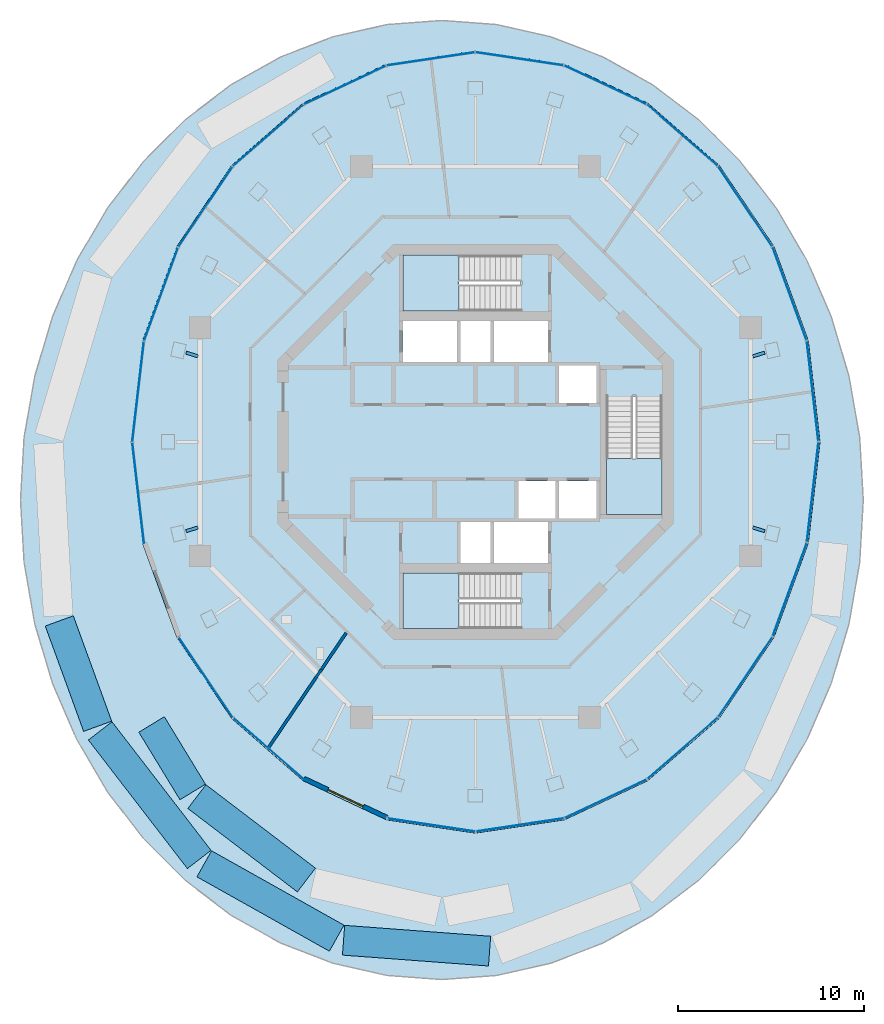
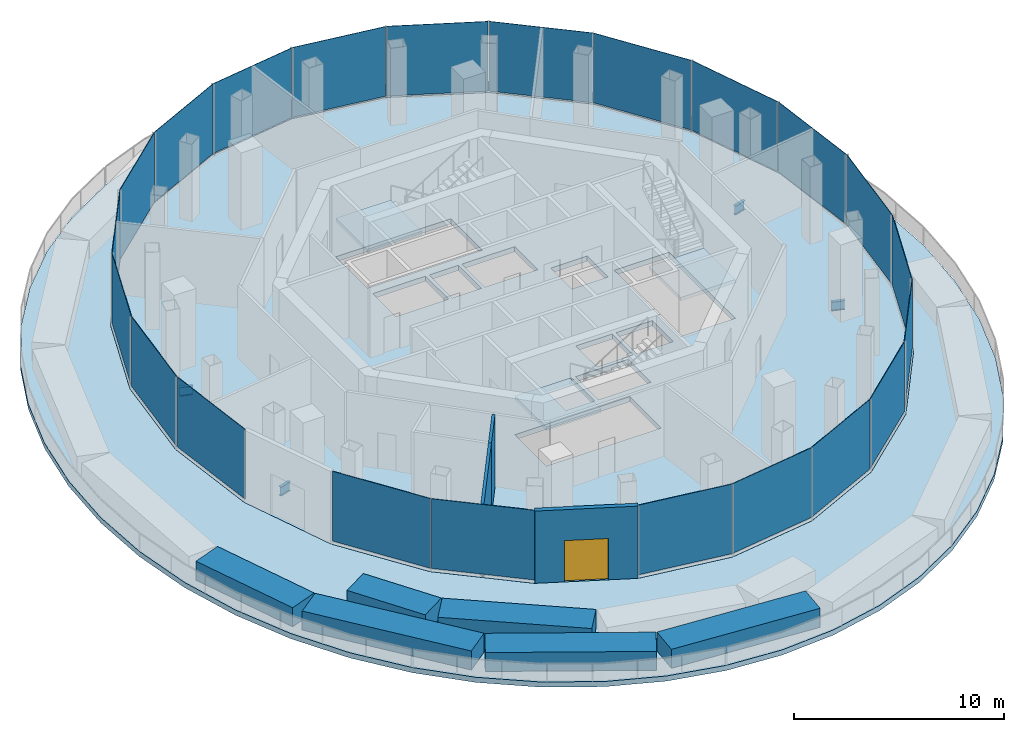
# One storey, part 6 of 12: 22 plates, 9 walls, 5 slabs, 4 beams, 1 door, 1 opening, 25 elements without a shape of their own.
"""IFC4 building model written with IfcOpenShell, lengths in metres."""

from ifc_helpers import new_model, si_unit, direction, frame, frame_2d, origin, origin_2d, place, context, subcontext, project, spatial, polyline, rectangle, i_section, outline, extrude, material, layer, layer_set, material_profile, profile_set, type_object, element, fill, aggregate, save


model = new_model("IFC4")

# Units and contexts
model_context = context("Model", 3, precision=1e-05, world=origin(), true_north=direction((0.0, 1.0)))
body_context = subcontext(model_context, "Body", "Model", "MODEL_VIEW")
ifc_project = project(units=[si_unit("LENGTHUNIT", "METRE"), si_unit("AREAUNIT", "SQUARE_METRE"), si_unit("VOLUMEUNIT", "CUBIC_METRE"), si_unit("PLANEANGLEUNIT", "RADIAN"), si_unit("MASSUNIT", "GRAM", prefix="KILO")], contexts=[model_context])

# Site, building, storey
site_placement = place(None, origin())
site = spatial("IfcSite", under=ifc_project, at=site_placement, CompositionType="ELEMENT")
building_placement = place(site_placement, origin())
building = spatial("IfcBuilding", under=site, at=building_placement, Name="Nagisa Residences", CompositionType="ELEMENT")
storey_placement = place(building_placement, frame((0.0, 0.0, 315.89990234375)))
storey = spatial("IfcBuildingStorey", under=building, at=storey_placement, Name="L78", CompositionType="ELEMENT", Elevation=315.89990234375)

# Beams
ifc_material_1 = material(Name="Steel ASTM A572 Gr 50", Category="steel")
ifc_material_profile = material_profile(ifc_material_1, i_section(OverallWidth=0.166015625, OverallDepth=0.534912109375, WebThickness=0.01025390625, FlangeThickness=0.0166015625, at=origin_2d()), Name="W530x85")
ifc_profile_set = profile_set([ifc_material_profile], Name="Steel ASTM A572 Gr 50")
beam_type = type_object("IfcBeamType", Name="Radial beam W530x85", PredefinedType="BEAM", material=ifc_profile_set)
for number, where, z_axis, x_axis, name in (
    (1, (15.52587890625, 4.79052734375, -0.5673828125), (-0.955485327603, -0.295038622447, 0.0), (0.295038622447, -0.955485327603, 0.0), "beam:L78:rb02"),
    (2, (-15.52587890625, 4.79052734375, -0.5673828125), (0.955485327603, -0.295038622447, 0.0), (0.295038622447, 0.955485327603, 0.0), "beam:L78:rb12"),
    (3, (-15.52587890625, -4.79052734375, -0.5673828125), (0.955485327603, 0.295038622447, 0.0), (-0.295038622447, 0.955485327603, 0.0), "beam:L78:rb14"),
    (4, (15.52587890625, -4.79052734375, -0.5673828125), (-0.955485327603, 0.295038622447, 0.0), (-0.295038622447, -0.955485327603, 0.0), "beam:L78:rb24"),
):
    element("IfcBeam", number, at=place(storey_placement, frame(where, z_axis=z_axis, x_axis=x_axis)), inside=storey, type_object=beam_type, Name=name, PredefinedType="BEAM", context=body_context, shape_type="SweptSolid", body=[
        extrude(i_section(OverallWidth=0.166015625, OverallDepth=0.534912109375, WebThickness=0.01025390625, FlangeThickness=0.0166015625, at=origin_2d()), origin(), (0.0, 0.0, 1.0), 0.666015625),
    ])

# Curtain wall, plate
ifc_material_2 = material(Name="Aluminium curtain wall system", Category="aluminium")
ifc_layer_1 = layer(ifc_material_2, 0.159912109375)
ifc_layer_set_1 = layer_set([ifc_layer_1], Name="CW4 CURTAIN WALL")
curtain_wall_type = type_object("IfcCurtainWallType", Name="CW4 CURTAIN WALL", PredefinedType="NOTDEFINED", material=ifc_layer_set_1)
curtain_wall_1_placement = place(storey_placement, origin())
curtain_wall_1 = element("IfcCurtainWall", 5, at=curtain_wall_1_placement, inside=storey, type_object=curtain_wall_type, Name="cw:CW4:L78:00", PredefinedType="NOTDEFINED")
ifc_material_3 = material(Name="Clear laminated glass", Category="glass")
ifc_layer_2 = layer(ifc_material_3, 0.028076171875)
ifc_layer_set_2 = layer_set([ifc_layer_2], Name="CW4 GLASS PANEL")
plate_type = type_object("IfcPlateType", Name="CW4 GLASS PANEL", PredefinedType="CURTAIN_PANEL", material=ifc_layer_set_2)
plate_1_placement = place(storey_placement, frame((18.101806640625, 2.73828125, 0.14990234375), z_axis=(0.0, 0.0, 1.0), x_axis=(-0.115207327437, 0.993341467827, 0.0)))
plate_1 = element("IfcPlate", 6, at=plate_1_placement, type_object=plate_type, Name="CW4 panel", PredefinedType="CURTAIN_PANEL", context=body_context, shape_type="SweptSolid", body=[
    extrude(rectangle(XDim=5.41162109375, YDim=0.028076171875, at=origin_2d()), origin(), (0.0, 0.0, 1.0), 4.050048828125),
])
aggregate(curtain_wall_1, [plate_1])

curtain_wall_2_placement = place(storey_placement, origin())
curtain_wall_2 = element("IfcCurtainWall", 7, at=curtain_wall_2_placement, inside=storey, type_object=curtain_wall_type, Name="cw:CW4:L78:01", PredefinedType="NOTDEFINED")
plate_2_placement = place(storey_placement, frame((16.860107421875, 7.96826171875, 0.14990234375), z_axis=(0.0, 0.0, 1.0), x_axis=(-0.342793298167, 0.939410855128, 0.0)))
plate_2 = element("IfcPlate", 8, at=plate_2_placement, type_object=plate_type, Name="CW4 panel", PredefinedType="CURTAIN_PANEL", context=body_context, shape_type="SweptSolid", body=[
    extrude(rectangle(XDim=5.33154296875, YDim=0.028076171875, at=origin_2d()), origin(), (0.0, 0.0, 1.0), 4.050048828125),
])
aggregate(curtain_wall_2, [plate_2])

curtain_wall_3_placement = place(storey_placement, origin())
curtain_wall_3 = element("IfcCurtainWall", 9, at=curtain_wall_3_placement, inside=storey, type_object=curtain_wall_type, Name="cw:CW4:L78:02", PredefinedType="NOTDEFINED")
plate_3_placement = place(storey_placement, frame((14.468505859375, 12.65478515625, 0.14990234375), z_axis=(0.0, 0.0, 1.0), x_axis=(-0.560029665453, 0.828472554652, 0.0)))
plate_3 = element("IfcPlate", 10, at=plate_3_placement, type_object=plate_type, Name="CW4 panel", PredefinedType="CURTAIN_PANEL", context=body_context, shape_type="SweptSolid", body=[
    extrude(rectangle(XDim=5.189697265625, YDim=0.028076171875, at=origin_2d()), origin(), (0.0, 0.0, 1.0), 4.050048828125),
])
aggregate(curtain_wall_3, [plate_3])

curtain_wall_4_placement = place(storey_placement, origin())
curtain_wall_4 = element("IfcCurtainWall", 11, at=curtain_wall_4_placement, inside=storey, type_object=curtain_wall_type, Name="cw:CW4:L78:03", PredefinedType="NOTDEFINED")
plate_4_placement = place(storey_placement, frame((11.090576171875, 16.477294921875, 0.14990234375), z_axis=(0.0, 0.0, 1.0), x_axis=(-0.754062144839, 0.656803076821, 0.0)))
plate_4 = element("IfcPlate", 12, at=plate_4_placement, type_object=plate_type, Name="CW4 panel", PredefinedType="CURTAIN_PANEL", context=body_context, shape_type="SweptSolid", body=[
    extrude(rectangle(XDim=5.02099609375, YDim=0.028076171875, at=origin_2d()), origin(), (0.0, 0.0, 1.0), 4.050048828125),
])
aggregate(curtain_wall_4, [plate_4])

curtain_wall_5_placement = place(storey_placement, origin())
curtain_wall_5 = element("IfcCurtainWall", 13, at=curtain_wall_5_placement, inside=storey, type_object=curtain_wall_type, Name="cw:CW4:L78:04", PredefinedType="NOTDEFINED")
plate_5_placement = place(storey_placement, frame((6.9580078125, 19.17578125, 0.14990234375), z_axis=(0.0, 0.0, 1.0), x_axis=(-0.90495806836, 0.425500757356, 0.0)))
plate_5 = element("IfcPlate", 14, at=plate_5_placement, type_object=plate_type, Name="CW4 panel", PredefinedType="CURTAIN_PANEL", context=body_context, shape_type="SweptSolid", body=[
    extrude(rectangle(XDim=4.870361328125, YDim=0.028076171875, at=origin_2d()), origin(), (0.0, 0.0, 1.0), 4.050048828125),
])
aggregate(curtain_wall_5, [plate_5])

curtain_wall_6_placement = place(storey_placement, origin())
curtain_wall_6 = element("IfcCurtainWall", 15, at=curtain_wall_6_placement, inside=storey, type_object=curtain_wall_type, Name="cw:CW4:L78:05", PredefinedType="NOTDEFINED")
plate_6_placement = place(storey_placement, frame((2.3525390625, 20.567626953125, 0.14990234375), z_axis=(0.0, 0.0, 1.0), x_axis=(-0.989016965862, 0.147802033939, 0.0)))
plate_6 = element("IfcPlate", 16, at=plate_6_placement, type_object=plate_type, Name="CW4 panel", PredefinedType="CURTAIN_PANEL", context=body_context, shape_type="SweptSolid", body=[
    extrude(rectangle(XDim=4.78125, YDim=0.028076171875, at=origin_2d()), origin(), (0.0, 0.0, 1.0), 4.050048828125),
])
aggregate(curtain_wall_6, [plate_6])

curtain_wall_7_placement = place(storey_placement, origin())
curtain_wall_7 = element("IfcCurtainWall", 17, at=curtain_wall_7_placement, inside=storey, type_object=curtain_wall_type, Name="cw:CW4:L78:06", PredefinedType="NOTDEFINED")
plate_7_placement = place(storey_placement, frame((-2.411865234375, 20.55859375, 0.14990234375), z_axis=(0.0, 0.0, 1.0), x_axis=(-0.989016965862, -0.147802033939, 0.0)))
plate_7 = element("IfcPlate", 18, at=plate_7_placement, type_object=plate_type, Name="CW4 panel", PredefinedType="CURTAIN_PANEL", context=body_context, shape_type="SweptSolid", body=[
    extrude(rectangle(XDim=4.78125, YDim=0.028076171875, at=origin_2d()), origin(), (0.0, 0.0, 1.0), 4.050048828125),
])
aggregate(curtain_wall_7, [plate_7])

curtain_wall_8_placement = place(storey_placement, origin())
curtain_wall_8 = element("IfcCurtainWall", 19, at=curtain_wall_8_placement, inside=storey, type_object=curtain_wall_type, Name="cw:CW4:L78:07", PredefinedType="NOTDEFINED")
plate_8_placement = place(storey_placement, frame((-7.01220703125, 19.150390625, 0.14990234375), z_axis=(0.0, 0.0, 1.0), x_axis=(-0.90495806836, -0.425500757356, 0.0)))
plate_8 = element("IfcPlate", 20, at=plate_8_placement, type_object=plate_type, Name="CW4 panel", PredefinedType="CURTAIN_PANEL", context=body_context, shape_type="SweptSolid", body=[
    extrude(rectangle(XDim=4.870361328125, YDim=0.028076171875, at=origin_2d()), origin(), (0.0, 0.0, 1.0), 4.050048828125),
])
aggregate(curtain_wall_8, [plate_8])

curtain_wall_9_placement = place(storey_placement, origin())
curtain_wall_9 = element("IfcCurtainWall", 21, at=curtain_wall_9_placement, inside=storey, type_object=curtain_wall_type, Name="cw:CW4:L78:08", PredefinedType="NOTDEFINED")
plate_9_placement = place(storey_placement, frame((-11.1357421875, 16.437744140625, 0.14990234375), z_axis=(0.0, 0.0, 1.0), x_axis=(-0.754062144839, -0.656803076821, 0.0)))
plate_9 = element("IfcPlate", 22, at=plate_9_placement, type_object=plate_type, Name="CW4 panel", PredefinedType="CURTAIN_PANEL", context=body_context, shape_type="SweptSolid", body=[
    extrude(rectangle(XDim=5.02099609375, YDim=0.028076171875, at=origin_2d()), origin(), (0.0, 0.0, 1.0), 4.050048828125),
])
aggregate(curtain_wall_9, [plate_9])

curtain_wall_10_placement = place(storey_placement, origin())
curtain_wall_10 = element("IfcCurtainWall", 23, at=curtain_wall_10_placement, inside=storey, type_object=curtain_wall_type, Name="cw:CW4:L78:09", PredefinedType="NOTDEFINED")
plate_10_placement = place(storey_placement, frame((-14.501953125, 12.60498046875, 0.14990234375), z_axis=(0.0, 0.0, 1.0), x_axis=(-0.560029665453, -0.828472554652, 0.0)))
plate_10 = element("IfcPlate", 24, at=plate_10_placement, type_object=plate_type, Name="CW4 panel", PredefinedType="CURTAIN_PANEL", context=body_context, shape_type="SweptSolid", body=[
    extrude(rectangle(XDim=5.189697265625, YDim=0.028076171875, at=origin_2d()), origin(), (0.0, 0.0, 1.0), 4.050048828125),
])
aggregate(curtain_wall_10, [plate_10])

curtain_wall_11_placement = place(storey_placement, origin())
curtain_wall_11 = element("IfcCurtainWall", 25, at=curtain_wall_11_placement, inside=storey, type_object=curtain_wall_type, Name="cw:CW4:L78:10", PredefinedType="NOTDEFINED")
plate_11_placement = place(storey_placement, frame((-16.880615234375, 7.912109375, 0.14990234375), z_axis=(0.0, 0.0, 1.0), x_axis=(-0.342793298167, -0.939410855128, 0.0)))
plate_11 = element("IfcPlate", 26, at=plate_11_placement, type_object=plate_type, Name="CW4 panel", PredefinedType="CURTAIN_PANEL", context=body_context, shape_type="SweptSolid", body=[
    extrude(rectangle(XDim=5.33154296875, YDim=0.028076171875, at=origin_2d()), origin(), (0.0, 0.0, 1.0), 4.050048828125),
])
aggregate(curtain_wall_11, [plate_11])

curtain_wall_12_placement = place(storey_placement, origin())
curtain_wall_12 = element("IfcCurtainWall", 27, at=curtain_wall_12_placement, inside=storey, type_object=curtain_wall_type, Name="cw:CW4:L78:11", PredefinedType="NOTDEFINED")
plate_12_placement = place(storey_placement, frame((-18.10888671875, 2.678466796875, 0.14990234375), z_axis=(0.0, 0.0, 1.0), x_axis=(-0.115207327437, -0.993341467827, 0.0)))
plate_12 = element("IfcPlate", 28, at=plate_12_placement, type_object=plate_type, Name="CW4 panel", PredefinedType="CURTAIN_PANEL", context=body_context, shape_type="SweptSolid", body=[
    extrude(rectangle(XDim=5.41162109375, YDim=0.028076171875, at=origin_2d()), origin(), (0.0, 0.0, 1.0), 4.050048828125),
])
aggregate(curtain_wall_12, [plate_12])

curtain_wall_13_placement = place(storey_placement, origin())
curtain_wall_13 = element("IfcCurtainWall", 29, at=curtain_wall_13_placement, inside=storey, type_object=curtain_wall_type, Name="cw:CW4:L78:12", PredefinedType="NOTDEFINED")
plate_13_placement = place(storey_placement, frame((-18.101806640625, -2.73828125, 0.14990234375), z_axis=(0.0, 0.0, 1.0), x_axis=(0.115207327437, -0.993341467827, 0.0)))
plate_13 = element("IfcPlate", 30, at=plate_13_placement, type_object=plate_type, Name="CW4 panel", PredefinedType="CURTAIN_PANEL", context=body_context, shape_type="SweptSolid", body=[
    extrude(rectangle(XDim=5.41162109375, YDim=0.028076171875, at=origin_2d()), origin(), (0.0, 0.0, 1.0), 4.050048828125),
])
aggregate(curtain_wall_13, [plate_13])

curtain_wall_14_placement = place(storey_placement, origin())
curtain_wall_14 = element("IfcCurtainWall", 31, at=curtain_wall_14_placement, inside=storey, type_object=curtain_wall_type, Name="cw:CW4:L78:14", PredefinedType="NOTDEFINED")
plate_14_placement = place(storey_placement, frame((-14.468505859375, -12.65478515625, 0.14990234375), z_axis=(0.0, 0.0, 1.0), x_axis=(0.560029665453, -0.828472554652, 0.0)))
plate_14 = element("IfcPlate", 32, at=plate_14_placement, type_object=plate_type, Name="CW4 panel", PredefinedType="CURTAIN_PANEL", context=body_context, shape_type="SweptSolid", body=[
    extrude(rectangle(XDim=5.189697265625, YDim=0.028076171875, at=origin_2d()), origin(), (0.0, 0.0, 1.0), 4.050048828125),
])
aggregate(curtain_wall_14, [plate_14])

curtain_wall_15_placement = place(storey_placement, origin())
curtain_wall_15 = element("IfcCurtainWall", 33, at=curtain_wall_15_placement, inside=storey, type_object=curtain_wall_type, Name="cw:CW4:L78:15", PredefinedType="NOTDEFINED")
plate_15_placement = place(storey_placement, frame((-11.090576171875, -16.477294921875, 0.14990234375), z_axis=(0.0, 0.0, 1.0), x_axis=(0.754062144839, -0.656803076821, 0.0)))
plate_15 = element("IfcPlate", 34, at=plate_15_placement, type_object=plate_type, Name="CW4 panel", PredefinedType="CURTAIN_PANEL", context=body_context, shape_type="SweptSolid", body=[
    extrude(rectangle(XDim=5.02099609375, YDim=0.028076171875, at=origin_2d()), origin(), (0.0, 0.0, 1.0), 4.050048828125),
])
aggregate(curtain_wall_15, [plate_15])

curtain_wall_16_placement = place(storey_placement, origin())
curtain_wall_16 = element("IfcCurtainWall", 35, at=curtain_wall_16_placement, inside=storey, type_object=curtain_wall_type, Name="cw:CW4:L78:17", PredefinedType="NOTDEFINED")
plate_16_placement = place(storey_placement, frame((-2.3525390625, -20.567626953125, 0.14990234375), z_axis=(0.0, 0.0, 1.0), x_axis=(0.989016965862, -0.147802033939, 0.0)))
plate_16 = element("IfcPlate", 36, at=plate_16_placement, type_object=plate_type, Name="CW4 panel", PredefinedType="CURTAIN_PANEL", context=body_context, shape_type="SweptSolid", body=[
    extrude(rectangle(XDim=4.78125, YDim=0.028076171875, at=origin_2d()), origin(), (0.0, 0.0, 1.0), 4.050048828125),
])
aggregate(curtain_wall_16, [plate_16])

curtain_wall_17_placement = place(storey_placement, origin())
curtain_wall_17 = element("IfcCurtainWall", 37, at=curtain_wall_17_placement, inside=storey, type_object=curtain_wall_type, Name="cw:CW4:L78:18", PredefinedType="NOTDEFINED")
plate_17_placement = place(storey_placement, frame((2.411865234375, -20.55859375, 0.14990234375), z_axis=(0.0, 0.0, 1.0), x_axis=(0.989016965862, 0.147802033939, 0.0)))
plate_17 = element("IfcPlate", 38, at=plate_17_placement, type_object=plate_type, Name="CW4 panel", PredefinedType="CURTAIN_PANEL", context=body_context, shape_type="SweptSolid", body=[
    extrude(rectangle(XDim=4.78125, YDim=0.028076171875, at=origin_2d()), origin(), (0.0, 0.0, 1.0), 4.050048828125),
])
aggregate(curtain_wall_17, [plate_17])

curtain_wall_18_placement = place(storey_placement, origin())
curtain_wall_18 = element("IfcCurtainWall", 39, at=curtain_wall_18_placement, inside=storey, type_object=curtain_wall_type, Name="cw:CW4:L78:19", PredefinedType="NOTDEFINED")
plate_18_placement = place(storey_placement, frame((7.01220703125, -19.150390625, 0.14990234375), z_axis=(0.0, 0.0, 1.0), x_axis=(0.90495806836, 0.425500757356, 0.0)))
plate_18 = element("IfcPlate", 40, at=plate_18_placement, type_object=plate_type, Name="CW4 panel", PredefinedType="CURTAIN_PANEL", context=body_context, shape_type="SweptSolid", body=[
    extrude(rectangle(XDim=4.870361328125, YDim=0.028076171875, at=origin_2d()), origin(), (0.0, 0.0, 1.0), 4.050048828125),
])
aggregate(curtain_wall_18, [plate_18])

curtain_wall_19_placement = place(storey_placement, origin())
curtain_wall_19 = element("IfcCurtainWall", 41, at=curtain_wall_19_placement, inside=storey, type_object=curtain_wall_type, Name="cw:CW4:L78:20", PredefinedType="NOTDEFINED")
plate_19_placement = place(storey_placement, frame((11.1357421875, -16.437744140625, 0.14990234375), z_axis=(0.0, 0.0, 1.0), x_axis=(0.754062144839, 0.656803076821, 0.0)))
plate_19 = element("IfcPlate", 42, at=plate_19_placement, type_object=plate_type, Name="CW4 panel", PredefinedType="CURTAIN_PANEL", context=body_context, shape_type="SweptSolid", body=[
    extrude(rectangle(XDim=5.02099609375, YDim=0.028076171875, at=origin_2d()), origin(), (0.0, 0.0, 1.0), 4.050048828125),
])
aggregate(curtain_wall_19, [plate_19])

curtain_wall_20_placement = place(storey_placement, origin())
curtain_wall_20 = element("IfcCurtainWall", 43, at=curtain_wall_20_placement, inside=storey, type_object=curtain_wall_type, Name="cw:CW4:L78:21", PredefinedType="NOTDEFINED")
plate_20_placement = place(storey_placement, frame((14.501953125, -12.60498046875, 0.14990234375), z_axis=(0.0, 0.0, 1.0), x_axis=(0.560029665453, 0.828472554652, 0.0)))
plate_20 = element("IfcPlate", 44, at=plate_20_placement, type_object=plate_type, Name="CW4 panel", PredefinedType="CURTAIN_PANEL", context=body_context, shape_type="SweptSolid", body=[
    extrude(rectangle(XDim=5.189697265625, YDim=0.028076171875, at=origin_2d()), origin(), (0.0, 0.0, 1.0), 4.050048828125),
])
aggregate(curtain_wall_20, [plate_20])

curtain_wall_21_placement = place(storey_placement, origin())
curtain_wall_21 = element("IfcCurtainWall", 45, at=curtain_wall_21_placement, inside=storey, type_object=curtain_wall_type, Name="cw:CW4:L78:22", PredefinedType="NOTDEFINED")
plate_21_placement = place(storey_placement, frame((16.880615234375, -7.912109375, 0.14990234375), z_axis=(0.0, 0.0, 1.0), x_axis=(0.342793298167, 0.939410855128, 0.0)))
plate_21 = element("IfcPlate", 46, at=plate_21_placement, type_object=plate_type, Name="CW4 panel", PredefinedType="CURTAIN_PANEL", context=body_context, shape_type="SweptSolid", body=[
    extrude(rectangle(XDim=5.33154296875, YDim=0.028076171875, at=origin_2d()), origin(), (0.0, 0.0, 1.0), 4.050048828125),
])
aggregate(curtain_wall_21, [plate_21])

curtain_wall_22_placement = place(storey_placement, origin())
curtain_wall_22 = element("IfcCurtainWall", 47, at=curtain_wall_22_placement, inside=storey, type_object=curtain_wall_type, Name="cw:CW4:L78:23", PredefinedType="NOTDEFINED")
plate_22_placement = place(storey_placement, frame((18.10888671875, -2.678466796875, 0.14990234375), z_axis=(0.0, 0.0, 1.0), x_axis=(0.115207327437, 0.993341467827, 0.0)))
plate_22 = element("IfcPlate", 48, at=plate_22_placement, type_object=plate_type, Name="CW4 panel", PredefinedType="CURTAIN_PANEL", context=body_context, shape_type="SweptSolid", body=[
    extrude(rectangle(XDim=5.41162109375, YDim=0.028076171875, at=origin_2d()), origin(), (0.0, 0.0, 1.0), 4.050048828125),
])
aggregate(curtain_wall_22, [plate_22])

# Slabs
ifc_material_4 = material(Name="Concrete C40", Category="concrete")
ifc_layer_3 = layer(ifc_material_4, 0.300048828125)
ifc_layer_set_3 = layer_set([ifc_layer_3], Name="Floor slab 300")
slab_type_1 = type_object("IfcSlabType", Name="Floor slab 300", PredefinedType="FLOOR", material=ifc_layer_set_3)
slab_1_placement = place(storey_placement, frame((0.0, 0.0, -0.2998046875)))
element("IfcSlab", 49, at=slab_1_placement, inside=storey, type_object=slab_type_1, Name="slab:L78:floor", PredefinedType="FLOOR", context=body_context, shape_type="SweptSolid", body=[
    extrude(outline(polyline([(18.5, 0.0), (17.86962890625, 5.435302734375), (16.021484375, 10.5), (13.08154296875, 14.84912109375), (9.25, 18.1865234375), (4.7880859375, 20.284423828125), (0.0, 21.0), (-4.7880859375, 20.284423828125), (-9.25, 18.1865234375), (-13.08154296875, 14.84912109375), (-16.021484375, 10.5), (-17.86962890625, 5.435302734375), (-18.5, 0.0), (-17.86962890625, -5.435302734375), (-16.021484375, -10.5), (-13.08154296875, -14.84912109375), (-9.25, -18.1865234375), (-4.7880859375, -20.284423828125), (0.0, -21.0), (4.7880859375, -20.284423828125), (9.25, -18.1865234375), (13.08154296875, -14.84912109375), (16.021484375, -10.5), (17.86962890625, -5.435302734375), (18.5, 0.0)]), holes=[polyline([(6.5, 2.10009765625), (6.5, 4.10009765625), (4.5, 4.10009765625), (4.5, 2.10009765625), (6.5, 2.10009765625)]), polyline([(4.300048828125, -4.10009765625), (4.300048828125, -2.10009765625), (2.300048828125, -2.10009765625), (2.300048828125, -4.10009765625), (4.300048828125, -4.10009765625)]), polyline([(6.5, -4.10009765625), (6.5, -2.10009765625), (4.5, -2.10009765625), (4.5, -4.10009765625), (6.5, -4.10009765625)]), polyline([(3.89990234375, 4.300048828125), (3.89990234375, 6.5), (1.0, 6.5), (1.0, 4.300048828125), (3.89990234375, 4.300048828125)]), polyline([(3.89990234375, -6.5), (3.89990234375, -4.300048828125), (1.0, -4.300048828125), (1.0, -6.5), (3.89990234375, -6.5)]), polyline([(-1.0, 4.300048828125), (-1.0, 6.5), (-3.89990234375, 6.5), (-3.89990234375, 4.300048828125), (-1.0, 4.300048828125)]), polyline([(0.800048828125, 4.300048828125), (0.800048828125, 6.5), (-0.800048828125, 6.5), (-0.800048828125, 4.300048828125), (0.800048828125, 4.300048828125)]), polyline([(0.800048828125, -6.5), (0.800048828125, -4.300048828125), (-0.800048828125, -4.300048828125), (-0.800048828125, -6.5), (0.800048828125, -6.5)]), polyline([(10.024658203125, -3.89990234375), (7.024658203125, -3.89990234375), (7.024658203125, 2.425048828125), (10.024658203125, 2.425048828125), (10.024658203125, -3.89990234375)]), polyline([(-3.89990234375, 7.024658203125), (-3.89990234375, 10.024658203125), (2.425048828125, 10.024658203125), (2.425048828125, 7.024658203125), (-3.89990234375, 7.024658203125)]), polyline([(-3.89990234375, -10.024658203125), (-3.89990234375, -7.024658203125), (2.425048828125, -7.024658203125), (2.425048828125, -10.024658203125), (-3.89990234375, -10.024658203125)])]), origin(), (0.0, 0.0, 1.0), 0.2998046875),
])
ifc_material_5 = material(Name="Concrete C40/50", Category="concrete")
ifc_layer_4 = layer(ifc_material_5, 0.300048828125)
ifc_layer_set_4 = layer_set([ifc_layer_4], Name="SKY GARDEN ROOF SLAB 300")
slab_type_2 = type_object("IfcSlabType", Name="SKY GARDEN ROOF SLAB 300", PredefinedType="ROOF", material=ifc_layer_set_4)
slab_2_placement = place(storey_placement, frame((0.0, 0.0, -0.2998046875)))
element("IfcSlab", 50, at=slab_2_placement, inside=storey, type_object=slab_type_2, Name="slab:L78:garden0", PredefinedType="ROOF", context=body_context, shape_type="SweptSolid", body=[
    extrude(outline(polyline([(20.62646484375, -6.4775390625), (20.820068359375, -3.11767578125), (20.62646484375, 0.241943359375), (20.04931640625, 3.544189453125), (19.09814453125, 6.732666015625), (17.78955078125, 9.752197265625), (16.145751953125, 12.5517578125), (14.19482421875, 15.083251953125), (11.97021484375, 17.30322265625), (9.510009765625, 19.173828125), (6.856201171875, 20.6630859375), (4.054443359375, 21.745361328125), (1.152587890625, 22.402099609375), (-1.800048828125, 22.622314453125), (-4.75244140625, 22.402099609375), (-7.654541015625, 21.745361328125), (-10.456298828125, 20.6630859375), (-13.110107421875, 19.173828125), (-15.570068359375, 17.30322265625), (-17.794677734375, 15.083251953125), (-19.74560546875, 12.5517578125), (-21.389404296875, 9.752197265625), (-22.6982421875, 6.732666015625), (-23.649169921875, 3.544189453125), (-24.2265625, 0.241943359375), (-24.419921875, -3.11767578125), (-24.2265625, -6.4775390625), (-23.649169921875, -9.77978515625), (-22.6982421875, -12.968017578125), (-21.389404296875, -15.98779296875), (-19.74560546875, -18.787109375), (-17.794677734375, -21.318603515625), (-15.570068359375, -23.53857421875), (-13.110107421875, -25.4091796875), (-10.456298828125, -26.8984375), (-7.654541015625, -27.980712890625), (-4.75244140625, -28.637451171875), (-1.800048828125, -28.857666015625), (1.152587890625, -28.637451171875), (4.054443359375, -27.980712890625), (6.856201171875, -26.8984375), (9.510009765625, -25.4091796875), (11.97021484375, -23.53857421875), (14.19482421875, -21.318603515625), (16.145751953125, -18.787109375), (17.78955078125, -15.98779296875), (19.09814453125, -12.968017578125), (20.04931640625, -9.77978515625), (20.62646484375, -6.4775390625)]), holes=[polyline([(16.021484375, 10.5), (13.08154296875, 14.84912109375), (9.25, 18.1865234375), (4.7880859375, 20.284423828125), (0.0, 21.0), (-4.7880859375, 20.284423828125), (-9.25, 18.1865234375), (-13.08154296875, 14.84912109375), (-16.021484375, 10.5), (-17.86962890625, 5.435302734375), (-18.5, 0.0), (-17.86962890625, -5.435302734375), (-16.021484375, -10.5), (-13.08154296875, -14.84912109375), (-9.25, -18.1865234375), (-4.7880859375, -20.284423828125), (0.0, -21.0), (4.7880859375, -20.284423828125), (9.25, -18.1865234375), (13.08154296875, -14.84912109375), (16.021484375, -10.5), (17.86962890625, -5.435302734375), (18.5, 0.0), (17.86962890625, 5.435302734375), (16.021484375, 10.5)])]), origin(), (0.0, 0.0, 1.0), 0.2998046875),
])

# Stair, slab
ifc_material_6 = material(Name="Concrete C60", Category="concrete")
stair_type = type_object("IfcStairType", Name="Exit stair", PredefinedType="HALF_TURN_STAIR", material=ifc_material_6)
stair_1_placement = place(storey_placement, origin())
stair_1 = element("IfcStair", 51, at=stair_1_placement, inside=storey, type_object=stair_type, Name="L78 Exit stair E", PredefinedType="HALF_TURN_STAIR")
ifc_material_7 = material(Name="Concrete C60", Category="concrete")
ifc_layer_5 = layer(ifc_material_7, 0.199951171875)
ifc_layer_set_5 = layer_set([ifc_layer_5], Name="Stair landing")
slab_type_3 = type_object("IfcSlabType", Name="Stair landing", PredefinedType="LANDING", material=ifc_layer_set_5)
slab_3_placement = place(storey_placement, frame((0.0, 0.0, 2.050048828125)))
slab_3 = element("IfcSlab", 52, at=slab_3_placement, type_object=slab_type_3, Name="ST-E landing 1", PredefinedType="LANDING", context=body_context, shape_type="SweptSolid", body=[
    extrude(outline(polyline([(7.024658203125, -0.885009765625), (7.024658203125, -3.89990234375), (10.024658203125, -3.89990234375), (10.024658203125, -0.885009765625), (7.024658203125, -0.885009765625)])), origin(), (0.0, 0.0, 1.0), 0.199951171875),
])
aggregate(stair_1, [slab_3])

stair_2_placement = place(storey_placement, origin())
stair_2 = element("IfcStair", 53, at=stair_2_placement, inside=storey, type_object=stair_type, Name="L78 Exit stair N", PredefinedType="HALF_TURN_STAIR")
slab_4_placement = place(storey_placement, frame((0.0, 0.0, 2.050048828125)))
slab_4 = element("IfcSlab", 54, at=slab_4_placement, type_object=slab_type_3, Name="ST-N landing 1", PredefinedType="LANDING", context=body_context, shape_type="SweptSolid", body=[
    extrude(outline(polyline([(-0.885009765625, 10.024658203125), (-3.89990234375, 10.024658203125), (-3.89990234375, 7.024658203125), (-0.885009765625, 7.024658203125), (-0.885009765625, 10.024658203125)])), origin(), (0.0, 0.0, 1.0), 0.199951171875),
])
aggregate(stair_2, [slab_4])

stair_3_placement = place(storey_placement, origin())
stair_3 = element("IfcStair", 55, at=stair_3_placement, inside=storey, type_object=stair_type, Name="L78 Exit stair S", PredefinedType="HALF_TURN_STAIR")
slab_5_placement = place(storey_placement, frame((0.0, 0.0, 2.050048828125)))
slab_5 = element("IfcSlab", 56, at=slab_5_placement, type_object=slab_type_3, Name="ST-S landing 1", PredefinedType="LANDING", context=body_context, shape_type="SweptSolid", body=[
    extrude(outline(polyline([(-0.885009765625, -7.024658203125), (-3.89990234375, -7.024658203125), (-3.89990234375, -10.024658203125), (-0.885009765625, -10.024658203125), (-0.885009765625, -7.024658203125)])), origin(), (0.0, 0.0, 1.0), 0.199951171875),
])
aggregate(stair_3, [slab_5])

# Wall, opening, door
ifc_material_8 = material(Name="Precast concrete C40/50", Category="concrete")
ifc_layer_6 = layer(ifc_material_8, 0.25)
ifc_layer_set_6 = layer_set([ifc_layer_6], Name="BALCONY DOOR WALL 250")
wall_type_1 = type_object("IfcWallType", Name="BALCONY DOOR WALL 250", PredefinedType="SOLIDWALL", material=ifc_layer_set_6)
wall_1_placement = place(storey_placement, frame((-4.73486328125, -20.17138671875, 0.0), z_axis=(0.0, 0.0, 1.0), x_axis=(-0.904961168887, 0.425494163069, 0.0)))
wall_1 = element("IfcWall", 57, at=wall_1_placement, inside=storey, type_object=wall_type_1, Name="wall:L78:bay16", PredefinedType="SOLIDWALL", context=body_context, shape_type="SweptSolid", body=[
    extrude(rectangle(XDim=4.930419921875, YDim=0.25, at=frame_2d((2.46533203125, 0.0))), origin(), (0.0, 0.0, 1.0), 4.2001953125),
])
opening_placement = place(wall_1_placement, frame((1.415283203125, 0.0, 0.0)))
opening = element("IfcOpeningElement", 58, at=opening_placement, cuts=wall_1, Name="Opening BD-L78-01", PredefinedType="OPENING", context=body_context, shape_type="SweptSolid", body=[
    extrude(rectangle(XDim=2.10009765625, YDim=2.39990234375, at=frame_2d((1.050048828125, 1.199951171875))), frame((0.0, 0.135009765625, 0.0), z_axis=(0.0, -1.0, 0.0), x_axis=(1.0, 0.0, 0.0)), (0.0, 0.0, 1.0), 0.27001953125),
])
ifc_material_9 = material(Name="Aluminium and clear glass", Category="aluminium")
door_type = type_object("IfcDoorType", Name="BALCONY SLIDING DOOR 2100x2400", OperationType="SLIDING_TO_LEFT", PredefinedType="DOOR", material=ifc_material_9)
door_placement = place(opening_placement, origin())
door = element("IfcDoor", 59, at=door_placement, inside=storey, type_object=door_type, Name="door:L78:bay16", OperationType="SLIDING_TO_LEFT", OverallHeight=2.39990234375, OverallWidth=2.10009765625, PredefinedType="DOOR", context=body_context, shape_type="SweptSolid", body=[
    extrude(rectangle(XDim=2.10009765625, YDim=2.39990234375, at=frame_2d((1.050048828125, 1.199951171875))), frame((0.0, 0.02490234375, 0.0), z_axis=(0.0, -1.0, 0.0), x_axis=(1.0, 0.0, 0.0)), (0.0, 0.0, 1.0), 0.050048828125),
])
fill(opening, door)

# Walls
ifc_material_10 = material(Name="Precast concrete C30/37", Category="concrete")
ifc_layer_7 = layer(ifc_material_10, 1.60009765625)
ifc_layer_set_7 = layer_set([ifc_layer_7], Name="PLANTER")
wall_type_2 = type_object("IfcWallType", Name="PLANTER", PredefinedType="SOLIDWALL", material=ifc_layer_set_7)
wall_2_placement = place(storey_placement, frame((-20.277587890625, -15.2626953125, 0.0), z_axis=(0.0, 0.0, 1.0), x_axis=(-0.341984202481, 0.939705701405, 0.0)))
element("IfcWall", 60, at=wall_2_placement, inside=storey, type_object=wall_type_2, Name="planter:L78:garden003", PredefinedType="SOLIDWALL", context=body_context, shape_type="SweptSolid", body=[
    extrude(rectangle(XDim=6.015380859375, YDim=1.60009765625, at=frame_2d((3.0078125, 0.0))), origin(), (0.0, 0.0, 1.0), 1.10009765625),
])
wall_3_placement = place(storey_placement, frame((-14.82568359375, -22.411376953125, 0.0), z_axis=(0.0, 0.0, 1.0), x_axis=(-0.610248456387, 0.792210086705, 0.0)))
element("IfcWall", 61, at=wall_3_placement, inside=storey, type_object=wall_type_2, Name="planter:L78:garden005", PredefinedType="SOLIDWALL", context=body_context, shape_type="SweptSolid", body=[
    extrude(rectangle(XDim=8.708984375, YDim=1.60009765625, at=frame_2d((4.3544921875, 0.0))), origin(), (0.0, 0.0, 1.0), 1.10009765625),
])
wall_4_placement = place(storey_placement, frame((-7.447021484375, -26.636962890625, 0.0), z_axis=(0.0, 0.0, 1.0), x_axis=(-0.871951257129, 0.489592693156, 0.0)))
element("IfcWall", 62, at=wall_4_placement, inside=storey, type_object=wall_type_2, Name="planter:L78:garden007", PredefinedType="SOLIDWALL", context=body_context, shape_type="SweptSolid", body=[
    extrude(rectangle(XDim=8.150634765625, YDim=1.60009765625, at=frame_2d((4.0751953125, 0.0))), origin(), (0.0, 0.0, 1.0), 1.10009765625),
])
wall_5_placement = place(storey_placement, frame((0.760009765625, -27.33349609375, 0.0), z_axis=(0.0, 0.0, 1.0), x_axis=(-0.997224101611, 0.074458654069, 0.0)))
element("IfcWall", 63, at=wall_5_placement, inside=storey, type_object=wall_type_2, Name="planter:L78:garden008", PredefinedType="SOLIDWALL", context=body_context, shape_type="SweptSolid", body=[
    extrude(rectangle(XDim=7.859375, YDim=1.60009765625, at=frame_2d((3.9296875, 0.0))), origin(), (0.0, 0.0, 1.0), 1.10009765625),
])
wall_6_placement = place(storey_placement, frame((-15.175048828125, -18.789794921875, 0.0), z_axis=(0.0, 0.0, 1.0), x_axis=(-0.520029112325, 0.854148536459, 0.0)))
element("IfcWall", 64, at=wall_6_placement, inside=storey, type_object=wall_type_2, Name="planter:L78:garden113", PredefinedType="SOLIDWALL", context=body_context, shape_type="SweptSolid", body=[
    extrude(rectangle(XDim=4.24169921875, YDim=1.60009765625, at=frame_2d((2.120849609375, 0.0))), origin(), (0.0, 0.0, 1.0), 1.10009765625),
])
wall_7_placement = place(storey_placement, frame((-9.0732421875, -23.515380859375, 0.0), z_axis=(0.0, 0.0, 1.0), x_axis=(-0.795536400327, 0.605905797756, 0.0)))
element("IfcWall", 65, at=wall_7_placement, inside=storey, type_object=wall_type_2, Name="planter:L78:garden114", PredefinedType="SOLIDWALL", context=body_context, shape_type="SweptSolid", body=[
    extrude(rectangle(XDim=7.387451171875, YDim=1.60009765625, at=frame_2d((3.69384765625, 0.0))), origin(), (0.0, 0.0, 1.0), 1.10009765625),
])
ifc_material_11 = material(Name="Gypsum board on steel studs", Category="steel")
ifc_layer_8 = layer(ifc_material_11, 0.14990234375)
ifc_layer_set_8 = layer_set([ifc_layer_8], Name="Room partition EI60 150")
wall_type_3 = type_object("IfcWallType", Name="Room partition EI60 150", PredefinedType="PARTITIONING", material=ifc_layer_set_8)
wall_8_placement = place(storey_placement, frame((-8.260986328125, -12.208984375, 0.0), z_axis=(0.0, 0.0, 1.0), x_axis=(-0.560426361266, -0.82820425838, 0.0)))
element("IfcWall", 66, at=wall_8_placement, inside=storey, type_object=wall_type_3, Name="wall:L78:am009", PredefinedType="PARTITIONING", context=body_context, shape_type="SweptSolid", body=[
    extrude(rectangle(XDim=5.0947265625, YDim=0.14990234375, at=frame_2d((2.54736328125, 0.0))), origin(), (0.0, 0.0, 1.0), 4.2001953125),
])
wall_9_placement = place(storey_placement, frame((-6.933837890625, -10.248291015625, 0.0), z_axis=(0.0, 0.0, 1.0), x_axis=(-0.560540301995, -0.828127145938, 0.0)))
element("IfcWall", 67, at=wall_9_placement, inside=storey, type_object=wall_type_3, Name="wall:L78:am011", PredefinedType="PARTITIONING", context=body_context, shape_type="SweptSolid", body=[
    extrude(rectangle(XDim=2.36767578125, YDim=0.14990234375, at=frame_2d((1.183837890625, 0.0))), origin(), (0.0, 0.0, 1.0), 4.2001953125),
])

save(model, "model.ifc")
